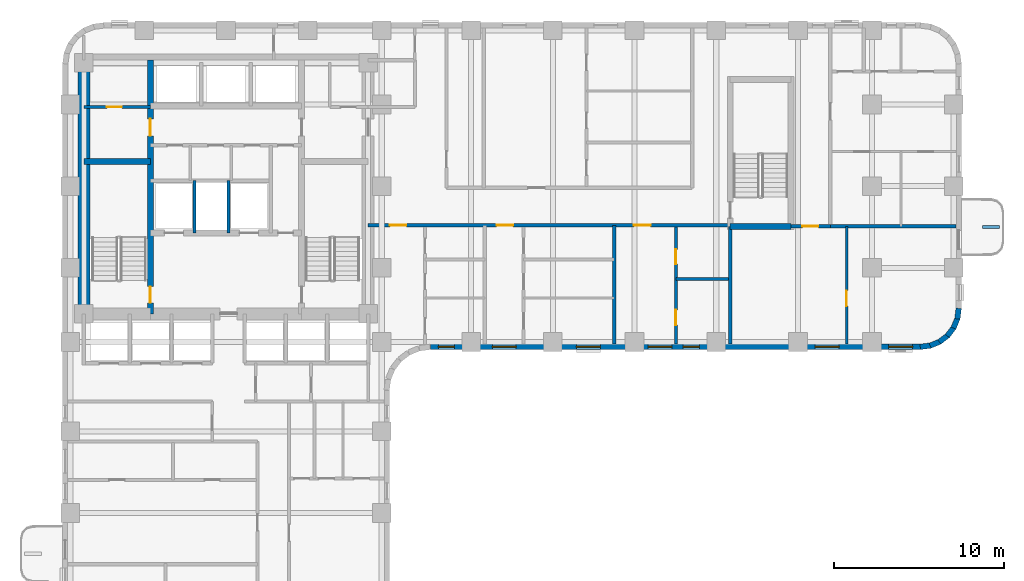
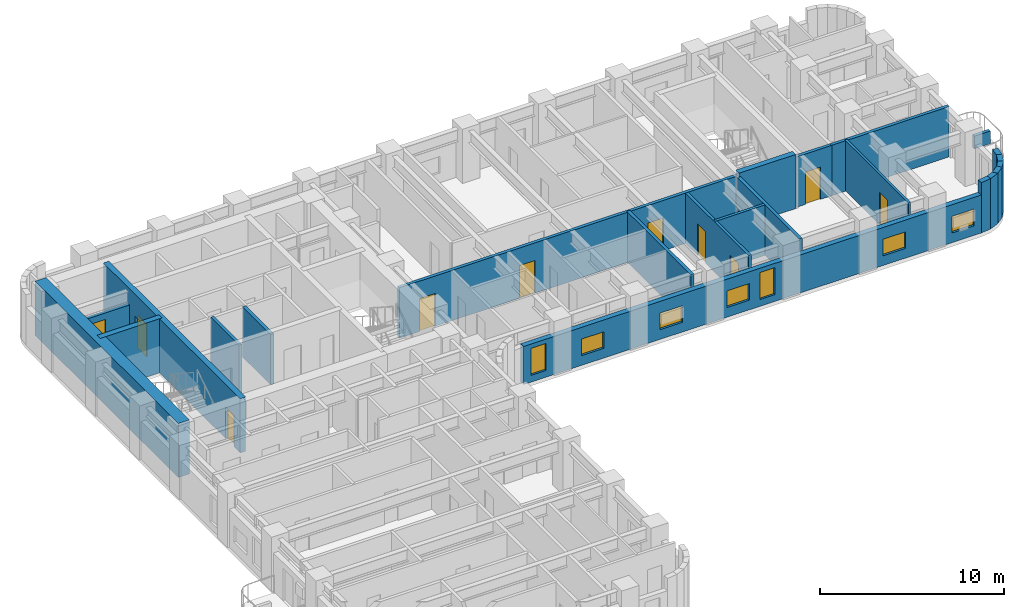
# One storey, part 5 of 11: 23 walls, 10 doors, 7 windows, 17 openings.
"""IFC4 building model written with IfcOpenShell, lengths in metres."""

from ifc_helpers import new_model, si_unit, direction, frame, frame_2d, origin, place, context, subcontext, project, spatial, rectangle, extrude, material, layer, layer_set, type_object, element, fill, save


model = new_model("IFC4")

# Units and contexts
model_context = context("Model", 3, precision=1e-05, world=origin(), true_north=direction((0.0, 1.0)))
body_context = subcontext(model_context, "Body", "Model", "MODEL_VIEW")
ifc_project = project(units=[si_unit("LENGTHUNIT", "METRE"), si_unit("AREAUNIT", "SQUARE_METRE"), si_unit("VOLUMEUNIT", "CUBIC_METRE"), si_unit("PLANEANGLEUNIT", "RADIAN"), si_unit("MASSUNIT", "GRAM", prefix="KILO")], contexts=[model_context])

# Site, building, storey
site_placement = place(None, origin())
site = spatial("IfcSite", under=ifc_project, at=site_placement, CompositionType="ELEMENT")
building_placement = place(site_placement, origin())
building = spatial("IfcBuilding", under=site, at=building_placement, Name="Orvandelia Arch Residences", CompositionType="ELEMENT")
storey_placement = place(building_placement, frame((0.0, 0.0, 53.800048828125)))
storey = spatial("IfcBuildingStorey", under=building, at=storey_placement, Name="L13", CompositionType="ELEMENT", Elevation=53.800048828125)

# Wall, openings, doors
ifc_material_1 = material(Name="Concrete C50/60", Category="concrete")
ifc_layer_1 = layer(ifc_material_1, 0.35009765625, Name="Concrete C50/60", Category="concrete")
ifc_layer_set_1 = layer_set([ifc_layer_1], Name="Concrete C50/60")
wall_type_1 = type_object("IfcWallType", Name="WL-CORE-350", PredefinedType="SHEAR", material=ifc_layer_set_1)
wall_1_placement = place(storey_placement, frame((9.9599609375, 30.89990234375, 0.0), z_axis=(0.0, 0.0, 1.0), x_axis=(0.0, 1.0, 0.0)))
wall_1 = element("IfcWall", 1, at=wall_1_placement, inside=storey, type_object=wall_type_1, Name="Core Shear Wall L13-WEB1", PredefinedType="SHEAR", context=body_context, shape_type="SweptSolid", body=[
    extrude(rectangle(XDim=14.900146484375, YDim=0.35009765625, at=frame_2d((7.4501953125, 0.0))), origin(), (0.0, 0.0, 1.0), 3.599853515625),
])
opening_1_placement = place(wall_1_placement, frame((0.64990234375, 0.0, 0.0)))
opening_1 = element("IfcOpeningElement", 2, at=opening_1_placement, cuts=wall_1, Name="Opening D7", PredefinedType="OPENING", context=body_context, shape_type="SweptSolid", body=[
    extrude(rectangle(XDim=0.949951171875, YDim=2.10009765625, at=frame_2d((0.47509765625, 1.050048828125))), frame((0.0, 0.18505859375, 0.0), z_axis=(0.0, -1.0, 0.0), x_axis=(1.0, 0.0, 0.0)), (0.0, 0.0, 1.0), 0.3701171875),
])
opening_2_placement = place(wall_1_placement, frame((10.449951171875, 0.0, 0.0)))
opening_2 = element("IfcOpeningElement", 3, at=opening_2_placement, cuts=wall_1, Name="Opening D6", PredefinedType="OPENING", context=body_context, shape_type="SweptSolid", body=[
    extrude(rectangle(XDim=1.0, YDim=2.14990234375, at=frame_2d((0.5, 1.074951171875))), frame((0.0, 0.18505859375, 0.0), z_axis=(0.0, -1.0, 0.0), x_axis=(1.0, 0.0, 0.0)), (0.0, 0.0, 1.0), 0.3701171875),
])
ifc_material_2 = material(Name="Smokeproof Painted Steel Fire Door", Category="steel")
door_type_1 = type_object("IfcDoorType", Name="DR-FD60-1000", OperationType="NOTDEFINED", PredefinedType="DOOR", material=ifc_material_2)
door_1_placement = place(opening_2_placement, origin())
door_1 = element("IfcDoor", 4, at=door_1_placement, inside=storey, type_object=door_type_1, Name="High-Rise Lift Hall West Vestibule Door L13", OperationType="SINGLE_SWING_LEFT", OverallHeight=2.14990234375, OverallWidth=1.0, PredefinedType="DOOR", context=body_context, shape_type="SweptSolid", body=[
    extrude(rectangle(XDim=1.0, YDim=2.14990234375, at=frame_2d((0.5, 1.074951171875))), frame((0.0, 0.02490234375, 0.0), z_axis=(0.0, -1.0, 0.0), x_axis=(1.0, 0.0, 0.0)), (0.0, 0.0, 1.0), 0.050048828125),
])
fill(opening_2, door_1)
ifc_material_3 = material(Name="Pressurised Stairwell Fire Door")
door_type_2 = type_object("IfcDoorType", Name="DR-STAIR-950", OperationType="NOTDEFINED", PredefinedType="DOOR", material=ifc_material_3)
door_2_placement = place(opening_1_placement, origin())
door_2 = element("IfcDoor", 5, at=door_2_placement, inside=storey, type_object=door_type_2, Name="Stairwell ST-1 Fire Door L13", OperationType="SINGLE_SWING_LEFT", OverallHeight=2.10009765625, OverallWidth=0.949951171875, PredefinedType="DOOR", context=body_context, shape_type="SweptSolid", body=[
    extrude(rectangle(XDim=0.949951171875, YDim=2.10009765625, at=frame_2d((0.47509765625, 1.050048828125))), frame((0.0, 0.02490234375, 0.0), z_axis=(0.0, -1.0, 0.0), x_axis=(1.0, 0.0, 0.0)), (0.0, 0.0, 1.0), 0.050048828125),
])
fill(opening_1, door_2)

# Walls
wall_2_placement = place(storey_placement, frame((6.050048828125, 39.85009765625, 0.0), z_axis=(0.0, 0.0, 1.0), x_axis=(1.0, 0.0, 0.0)))
element("IfcWall", 6, at=wall_2_placement, inside=storey, type_object=wall_type_1, Name="Core Shear Wall L13-HZ1", PredefinedType="SHEAR", context=body_context, shape_type="SweptSolid", body=[
    extrude(rectangle(XDim=3.909912109375, YDim=0.35009765625, at=frame_2d((1.955078125, 0.0))), origin(), (0.0, 0.0, 1.0), 3.599853515625),
])
wall_3_placement = place(storey_placement, frame((44.02001953125, 36.0400390625, 0.0), z_axis=(0.0, 0.0, 1.0), x_axis=(1.0, 0.0, 0.0)))
element("IfcWall", 7, at=wall_3_placement, inside=storey, type_object=wall_type_1, Name="East Stair Core Shear Wall L13-S", PredefinedType="SHEAR", context=body_context, shape_type="SweptSolid", body=[
    extrude(rectangle(XDim=3.580078125, YDim=0.35009765625, at=frame_2d((1.7900390625, 0.0))), origin(), (0.0, 0.0, 1.0), 3.599853515625),
])
ifc_material_4 = material(Name="Concrete C80/95", Category="concrete")
ifc_layer_2 = layer(ifc_material_4, 0.699951171875, Name="Concrete C80/95", Category="concrete")
ifc_layer_set_2 = layer_set([ifc_layer_2], Name="Concrete C80/95")
wall_type_2 = type_object("IfcWallType", Name="WL-CORE-700", PredefinedType="SHEAR", material=ifc_layer_set_2)
wall_4_placement = place(storey_placement, frame((6.050048828125, 30.550048828125, 0.0), z_axis=(0.0, 0.0, 1.0), x_axis=(0.0, 1.0, 0.0)))
element("IfcWall", 8, at=wall_4_placement, inside=storey, type_object=wall_type_2, Name="Core Shear Wall L13-W", PredefinedType="SHEAR", context=body_context, shape_type="SweptSolid", body=[
    extrude(rectangle(XDim=15.599853515625, YDim=0.699951171875, at=frame_2d((7.7998046875, 0.0))), origin(), (0.0, 0.0, 1.0), 3.599853515625),
])

# Wall, openings, doors
ifc_material_5 = material(Name="Fire-Rated Corridor Partition")
ifc_layer_3 = layer(ifc_material_5, 0.199951171875, Name="Fire-Rated Corridor Partition")
ifc_layer_set_3 = layer_set([ifc_layer_3], Name="Fire-Rated Corridor Partition")
wall_type_3 = type_object("IfcWallType", Name="WL-CORR-200", PredefinedType="PARTITIONING", material=ifc_layer_set_3)
wall_5_placement = place(storey_placement, frame((22.75, 36.10009765625, 0.0), z_axis=(0.0, 0.0, 1.0), x_axis=(1.0, 0.0, 0.0)))
wall_5 = element("IfcWall", 9, at=wall_5_placement, inside=storey, type_object=wall_type_3, Name="Interior Partition Wall WL-L13-EM-S1", PredefinedType="PARTITIONING", context=body_context, shape_type="SweptSolid", body=[
    extrude(rectangle(XDim=21.27001953125, YDim=0.199951171875, at=frame_2d((10.635009765625, 0.0))), origin(), (0.0, 0.0, 1.0), 3.349853515625),
])
opening_3_placement = place(wall_5_placement, frame((1.271484375, 0.0, 0.0)))
opening_3 = element("IfcOpeningElement", 10, at=opening_3_placement, cuts=wall_5, Name="Opening D1", PredefinedType="OPENING", context=body_context, shape_type="SweptSolid", body=[
    extrude(rectangle(XDim=0.97998046875, YDim=2.179931640625, at=frame_2d((0.489990234375, 1.08984375))), frame((0.0, 0.10986328125, 0.0), z_axis=(0.0, -1.0, 0.0), x_axis=(1.0, 0.0, 0.0)), (0.0, 0.0, 1.0), 0.219970703125),
])
opening_4_placement = place(wall_5_placement, frame((7.5400390625, 0.0, 0.0)))
opening_4 = element("IfcOpeningElement", 11, at=opening_4_placement, cuts=wall_5, Name="Opening D1", PredefinedType="OPENING", context=body_context, shape_type="SweptSolid", body=[
    extrude(rectangle(XDim=0.97998046875, YDim=2.179931640625, at=frame_2d((0.489990234375, 1.08984375))), frame((0.0, 0.10986328125, 0.0), z_axis=(0.0, -1.0, 0.0), x_axis=(1.0, 0.0, 0.0)), (0.0, 0.0, 1.0), 0.219970703125),
])
opening_5_placement = place(wall_5_placement, frame((15.614501953125, 0.0, 0.0)))
opening_5 = element("IfcOpeningElement", 12, at=opening_5_placement, cuts=wall_5, Name="Opening D1", PredefinedType="OPENING", context=body_context, shape_type="SweptSolid", body=[
    extrude(rectangle(XDim=0.97998046875, YDim=2.179931640625, at=frame_2d((0.489990234375, 1.08984375))), frame((0.0, 0.10986328125, 0.0), z_axis=(0.0, -1.0, 0.0), x_axis=(1.0, 0.0, 0.0)), (0.0, 0.0, 1.0), 0.219970703125),
])
ifc_material_6 = material(Name="Solid-Core Timber Acoustic Fire Door", Category="wood")
door_type_3 = type_object("IfcDoorType", Name="DR-ENT-980", OperationType="NOTDEFINED", PredefinedType="DOOR", material=ifc_material_6)
door_3_placement = place(opening_3_placement, origin())
door_3 = element("IfcDoor", 13, at=door_3_placement, inside=storey, type_object=door_type_3, Name="Unit L13-06 Entrance Door", OperationType="SINGLE_SWING_RIGHT", OverallHeight=2.179931640625, OverallWidth=0.97998046875, PredefinedType="DOOR", context=body_context, shape_type="SweptSolid", body=[
    extrude(rectangle(XDim=0.97998046875, YDim=2.179931640625, at=frame_2d((0.489990234375, 1.08984375))), frame((0.0, 0.02490234375, 0.0), z_axis=(0.0, -1.0, 0.0), x_axis=(1.0, 0.0, 0.0)), (0.0, 0.0, 1.0), 0.050048828125),
])
fill(opening_3, door_3)
door_4_placement = place(opening_4_placement, origin())
door_4 = element("IfcDoor", 14, at=door_4_placement, inside=storey, type_object=door_type_3, Name="Unit L13-07 Entrance Door", OperationType="SINGLE_SWING_LEFT", OverallHeight=2.179931640625, OverallWidth=0.97998046875, PredefinedType="DOOR", context=body_context, shape_type="SweptSolid", body=[
    extrude(rectangle(XDim=0.97998046875, YDim=2.179931640625, at=frame_2d((0.489990234375, 1.08984375))), frame((0.0, 0.02490234375, 0.0), z_axis=(0.0, -1.0, 0.0), x_axis=(1.0, 0.0, 0.0)), (0.0, 0.0, 1.0), 0.050048828125),
])
fill(opening_4, door_4)
door_5_placement = place(opening_5_placement, origin())
door_5 = element("IfcDoor", 15, at=door_5_placement, inside=storey, type_object=door_type_3, Name="Unit L13-08 Entrance Door", OperationType="SINGLE_SWING_RIGHT", OverallHeight=2.179931640625, OverallWidth=0.97998046875, PredefinedType="DOOR", context=body_context, shape_type="SweptSolid", body=[
    extrude(rectangle(XDim=0.97998046875, YDim=2.179931640625, at=frame_2d((0.489990234375, 1.08984375))), frame((0.0, 0.02490234375, 0.0), z_axis=(0.0, -1.0, 0.0), x_axis=(1.0, 0.0, 0.0)), (0.0, 0.0, 1.0), 0.050048828125),
])
fill(opening_5, door_5)

# Wall, opening, door
wall_6_placement = place(storey_placement, frame((47.60009765625, 36.0400390625, 0.0), z_axis=(0.0, 0.0, 1.0), x_axis=(1.0, 0.0, 0.0)))
wall_6 = element("IfcWall", 16, at=wall_6_placement, inside=storey, type_object=wall_type_3, Name="Interior Partition Wall WL-L13-ETE-S", PredefinedType="PARTITIONING", context=body_context, shape_type="SweptSolid", body=[
    extrude(rectangle(XDim=2.2998046875, YDim=0.199951171875, at=frame_2d((1.14990234375, 0.0))), origin(), (0.0, 0.0, 1.0), 3.349853515625),
])
opening_6_placement = place(wall_6_placement, frame((0.64990234375, 0.0, 0.0)))
opening_6 = element("IfcOpeningElement", 17, at=opening_6_placement, cuts=wall_6, Name="Opening D2", PredefinedType="OPENING", context=body_context, shape_type="SweptSolid", body=[
    extrude(rectangle(XDim=0.949951171875, YDim=2.14990234375, at=frame_2d((0.47509765625, 1.074951171875))), frame((0.0, 0.10986328125, 0.0), z_axis=(0.0, -1.0, 0.0), x_axis=(1.0, 0.0, 0.0)), (0.0, 0.0, 1.0), 0.219970703125),
])
ifc_material_7 = material(Name="Solid-Core Timber Interior Fire Door", Category="wood")
door_type_4 = type_object("IfcDoorType", Name="DR-APT-950", OperationType="NOTDEFINED", PredefinedType="DOOR", material=ifc_material_7)
door_6_placement = place(opening_6_placement, origin())
door_6 = element("IfcDoor", 18, at=door_6_placement, inside=storey, type_object=door_type_4, Name="DR-L13-EMS3", OperationType="SINGLE_SWING_LEFT", OverallHeight=2.14990234375, OverallWidth=0.949951171875, PredefinedType="DOOR", context=body_context, shape_type="SweptSolid", body=[
    extrude(rectangle(XDim=0.949951171875, YDim=2.14990234375, at=frame_2d((0.47509765625, 1.074951171875))), frame((0.0, 0.02490234375, 0.0), z_axis=(0.0, -1.0, 0.0), x_axis=(1.0, 0.0, 0.0)), (0.0, 0.0, 1.0), 0.050048828125),
])
fill(opening_6, door_6)

# Walls
ifc_material_8 = material(Name="Concrete C40/50", Category="concrete")
ifc_layer_4 = layer(ifc_material_8, 0.199951171875, Name="Concrete C40/50", Category="concrete")
ifc_layer_set_4 = layer_set([ifc_layer_4], Name="Concrete C40/50")
wall_type_4 = type_object("IfcWallType", Name="WL-DEM-200", PredefinedType="SOLIDWALL", material=ifc_layer_set_4)
wall_7_placement = place(storey_placement, frame((37.199951171875, 29.1201171875, 0.0), z_axis=(0.0, 0.0, 1.0), x_axis=(0.0, 1.0, 0.0)))
element("IfcWall", 19, at=wall_7_placement, inside=storey, type_object=wall_type_4, Name="Interior Partition Wall WL-L13-DEM-EMS-372", PredefinedType="SOLIDWALL", context=body_context, shape_type="SweptSolid", body=[
    extrude(rectangle(XDim=6.97998046875, YDim=0.199951171875, at=frame_2d((3.489990234375, 0.0))), origin(), (0.0, 0.0, 1.0), 3.349853515625),
])
wall_8_placement = place(storey_placement, frame((44.02001953125, 29.1201171875, 0.0), z_axis=(0.0, 0.0, 1.0), x_axis=(0.0, 1.0, 0.0)))
element("IfcWall", 20, at=wall_8_placement, inside=storey, type_object=wall_type_4, Name="Interior Partition Wall WL-L13-EMS3-W", PredefinedType="SOLIDWALL", context=body_context, shape_type="SweptSolid", body=[
    extrude(rectangle(XDim=6.919921875, YDim=0.199951171875, at=frame_2d((3.4599609375, 0.0))), origin(), (0.0, 0.0, 1.0), 3.349853515625),
])
wall_9_placement = place(storey_placement, frame((49.89990234375, 36.0400390625, 0.0), z_axis=(0.0, 0.0, 1.0), x_axis=(1.0, 0.0, 0.0)))
element("IfcWall", 21, at=wall_9_placement, inside=storey, type_object=wall_type_4, Name="Interior Partition Wall WL-L13-EMS3-N2", PredefinedType="SOLIDWALL", context=body_context, shape_type="SweptSolid", body=[
    extrude(rectangle(XDim=7.380126953125, YDim=0.199951171875, at=frame_2d((3.68994140625, 0.0))), origin(), (0.0, 0.0, 1.0), 3.349853515625),
])
ifc_material_9 = material(Name="Precast concrete C40/50", Category="concrete")
ifc_layer_5 = layer(ifc_material_9, 0.320068359375, Name="Precast concrete C40/50", Category="concrete")
ifc_layer_set_5 = layer_set([ifc_layer_5], Name="Precast concrete C40/50")
wall_type_5 = type_object("IfcWallType", Name="WL-EXT-STONE-320", PredefinedType="STANDARD", material=ifc_layer_set_5)
wall_10_placement = place(storey_placement, frame((57.44140625, 31.220947265625, 0.0), z_axis=(0.0, 0.0, 1.0), x_axis=(-0.130504898859, -0.991447664465, 0.0)))
element("IfcWall", 22, at=wall_10_placement, inside=storey, type_object=wall_type_5, Name="Coral-Limestone Precast Facade Wall L13-015", PredefinedType="STANDARD", context=body_context, shape_type="SweptSolid", body=[
    extrude(rectangle(XDim=0.626708984375, YDim=0.320068359375, at=frame_2d((0.3134765625, 0.0))), origin(), (0.0, 0.0, 1.0), 3.349853515625),
])
wall_11_placement = place(storey_placement, frame((57.370361328125, 30.639892578125, 0.0), z_axis=(0.0, 0.0, 1.0), x_axis=(-0.382787856107, -0.923836271867, 0.0)))
element("IfcWall", 23, at=wall_11_placement, inside=storey, type_object=wall_type_5, Name="Coral-Limestone Precast Facade Wall L13-016", PredefinedType="STANDARD", context=body_context, shape_type="SweptSolid", body=[
    extrude(rectangle(XDim=0.626220703125, YDim=0.320068359375, at=frame_2d((0.31298828125, 0.0))), origin(), (0.0, 0.0, 1.0), 3.349853515625),
])
wall_12_placement = place(storey_placement, frame((57.151611328125, 30.097412109375, 0.0), z_axis=(0.0, 0.0, 1.0), x_axis=(-0.608693302629, -0.793405610854, 0.0)))
element("IfcWall", 24, at=wall_12_placement, inside=storey, type_object=wall_type_5, Name="Coral-Limestone Precast Facade Wall L13-017", PredefinedType="STANDARD", context=body_context, shape_type="SweptSolid", body=[
    extrude(rectangle(XDim=0.62646484375, YDim=0.320068359375, at=frame_2d((0.313232421875, 0.0))), origin(), (0.0, 0.0, 1.0), 3.349853515625),
])
wall_13_placement = place(storey_placement, frame((56.7998046875, 29.6298828125, 0.0), z_axis=(0.0, 0.0, 1.0), x_axis=(-0.793361818833, -0.608750379399, 0.0)))
element("IfcWall", 25, at=wall_13_placement, inside=storey, type_object=wall_type_5, Name="Coral-Limestone Precast Facade Wall L13-018", PredefinedType="STANDARD", context=body_context, shape_type="SweptSolid", body=[
    extrude(rectangle(XDim=0.626953125, YDim=0.320068359375, at=frame_2d((0.3134765625, 0.0))), origin(), (0.0, 0.0, 1.0), 3.349853515625),
])
for number, where, z_axis, x_axis, name in (
    (26, (56.3388671875, 29.269287109375, 0.0), (0.0, 0.0, 1.0), (-0.92389335771, -0.382650053678, 0.0), "Coral-Limestone Precast Facade Wall L13-019"),
    (27, (55.80029296875, 29.040283203125, 0.0), (0.0, 0.0, 1.0), (-0.9914410257, -0.130555323746, 0.0), "Coral-Limestone Precast Facade Wall L13-020"),
):
    element("IfcWall", number, at=place(storey_placement, frame(where, z_axis=z_axis, x_axis=x_axis)), inside=storey, type_object=wall_type_5, Name=name, PredefinedType="STANDARD", context=body_context, shape_type="SweptSolid", body=[
        extrude(rectangle(XDim=0.62646484375, YDim=0.320068359375, at=frame_2d((0.313232421875, 0.0))), origin(), (0.0, 0.0, 1.0), 3.349853515625),
    ])

# Wall, openings, windows
wall_14_placement = place(storey_placement, frame((55.199951171875, 28.9599609375, 0.0), z_axis=(0.0, 0.0, 1.0), x_axis=(-1.0, 0.0, 0.0)))
wall_14 = element("IfcWall", 28, at=wall_14_placement, inside=storey, type_object=wall_type_5, Name="Coral-Limestone Precast Facade Wall L13-021", PredefinedType="STANDARD", context=body_context, shape_type="SweptSolid", body=[
    extrude(rectangle(XDim=28.800048828125, YDim=0.320068359375, at=frame_2d((14.39990234375, 0.0))), origin(), (0.0, 0.0, 1.0), 2.530029296875),
])
opening_7_placement = place(wall_14_placement, frame((27.3798828125, 0.0, 0.449951171875)))
opening_7 = element("IfcOpeningElement", 29, at=opening_7_placement, cuts=wall_14, Name="Opening W4", PredefinedType="OPENING", context=body_context, shape_type="SweptSolid", body=[
    extrude(rectangle(XDim=0.949951171875, YDim=1.800048828125, at=frame_2d((0.47509765625, 0.89990234375))), frame((0.0, 0.169921875, 0.0), z_axis=(0.0, -1.0, 0.0), x_axis=(1.0, 0.0, 0.0)), (0.0, 0.0, 1.0), 0.340087890625),
])
opening_8_placement = place(wall_14_placement, frame((18.81494140625, 0.0, 0.64990234375)))
opening_8 = element("IfcOpeningElement", 30, at=opening_8_placement, cuts=wall_14, Name="Opening W10", PredefinedType="OPENING", context=body_context, shape_type="SweptSolid", body=[
    extrude(rectangle(XDim=1.39990234375, YDim=1.10009765625, at=frame_2d((0.699951171875, 0.550048828125))), frame((0.0, 0.169921875, 0.0), z_axis=(0.0, -1.0, 0.0), x_axis=(1.0, 0.0, 0.0)), (0.0, 0.0, 1.0), 0.340087890625),
])
opening_9_placement = place(wall_14_placement, frame((14.60400390625, 0.0, 0.64990234375)))
opening_9 = element("IfcOpeningElement", 31, at=opening_9_placement, cuts=wall_14, Name="Opening W10", PredefinedType="OPENING", context=body_context, shape_type="SweptSolid", body=[
    extrude(rectangle(XDim=1.39990234375, YDim=1.10009765625, at=frame_2d((0.699951171875, 0.550048828125))), frame((0.0, 0.169921875, 0.0), z_axis=(0.0, -1.0, 0.0), x_axis=(1.0, 0.0, 0.0)), (0.0, 0.0, 1.0), 0.340087890625),
])
opening_10_placement = place(wall_14_placement, frame((4.7900390625, 0.0, 0.64990234375)))
opening_10 = element("IfcOpeningElement", 32, at=opening_10_placement, cuts=wall_14, Name="Opening W10", PredefinedType="OPENING", context=body_context, shape_type="SweptSolid", body=[
    extrude(rectangle(XDim=1.39990234375, YDim=1.10009765625, at=frame_2d((0.699951171875, 0.550048828125))), frame((0.0, 0.169921875, 0.0), z_axis=(0.0, -1.0, 0.0), x_axis=(1.0, 0.0, 0.0)), (0.0, 0.0, 1.0), 0.340087890625),
])
opening_11_placement = place(wall_14_placement, frame((0.469970703125, 0.0, 0.64990234375)))
opening_11 = element("IfcOpeningElement", 33, at=opening_11_placement, cuts=wall_14, Name="Opening W10", PredefinedType="OPENING", context=body_context, shape_type="SweptSolid", body=[
    extrude(rectangle(XDim=1.39990234375, YDim=1.10009765625, at=frame_2d((0.699951171875, 0.550048828125))), frame((0.0, 0.169921875, 0.0), z_axis=(0.0, -1.0, 0.0), x_axis=(1.0, 0.0, 0.0)), (0.0, 0.0, 1.0), 0.340087890625),
])
opening_12_placement = place(wall_14_placement, frame((23.760009765625, 0.0, 0.64990234375)))
opening_12 = element("IfcOpeningElement", 34, at=opening_12_placement, cuts=wall_14, Name="Opening W10", PredefinedType="OPENING", context=body_context, shape_type="SweptSolid", body=[
    extrude(rectangle(XDim=1.39990234375, YDim=1.10009765625, at=frame_2d((0.699951171875, 0.550048828125))), frame((0.0, 0.169921875, 0.0), z_axis=(0.0, -1.0, 0.0), x_axis=(1.0, 0.0, 0.0)), (0.0, 0.0, 1.0), 0.340087890625),
])
opening_13_placement = place(wall_14_placement, frame((12.9990234375, 0.0, 0.449951171875)))
opening_13 = element("IfcOpeningElement", 35, at=opening_13_placement, cuts=wall_14, Name="Opening W4", PredefinedType="OPENING", context=body_context, shape_type="SweptSolid", body=[
    extrude(rectangle(XDim=0.949951171875, YDim=1.800048828125, at=frame_2d((0.47509765625, 0.89990234375))), frame((0.0, 0.169921875, 0.0), z_axis=(0.0, -1.0, 0.0), x_axis=(1.0, 0.0, 0.0)), (0.0, 0.0, 1.0), 0.340087890625),
])
ifc_material_10 = material(Name="Tempered Low-E Insulated Glazing", Category="glass")
window_type_1 = type_object("IfcWindowType", Name="WIN-CLR-1400x1100", PartitioningType="SINGLE_PANEL", PredefinedType="WINDOW", material=ifc_material_10)
window_1_placement = place(opening_8_placement, origin())
window_1 = element("IfcWindow", 36, at=window_1_placement, inside=storey, type_object=window_type_1, Name="Recessed Punched Window L13-015", OverallHeight=1.10009765625, OverallWidth=1.39990234375, PartitioningType="SINGLE_PANEL", PredefinedType="WINDOW", context=body_context, shape_type="SweptSolid", body=[
    extrude(rectangle(XDim=1.39990234375, YDim=1.10009765625, at=frame_2d((0.699951171875, 0.550048828125))), frame((0.0, 0.030029296875, 0.0), z_axis=(0.0, -1.0, 0.0), x_axis=(1.0, 0.0, 0.0)), (0.0, 0.0, 1.0), 0.06005859375),
])
fill(opening_8, window_1)
window_2_placement = place(opening_9_placement, origin())
window_2 = element("IfcWindow", 37, at=window_2_placement, inside=storey, type_object=window_type_1, Name="Recessed Punched Window L13-016", OverallHeight=1.10009765625, OverallWidth=1.39990234375, PartitioningType="SINGLE_PANEL", PredefinedType="WINDOW", context=body_context, shape_type="SweptSolid", body=[
    extrude(rectangle(XDim=1.39990234375, YDim=1.10009765625, at=frame_2d((0.699951171875, 0.550048828125))), frame((0.0, 0.030029296875, 0.0), z_axis=(0.0, -1.0, 0.0), x_axis=(1.0, 0.0, 0.0)), (0.0, 0.0, 1.0), 0.06005859375),
])
fill(opening_9, window_2)
window_3_placement = place(opening_10_placement, origin())
window_3 = element("IfcWindow", 38, at=window_3_placement, inside=storey, type_object=window_type_1, Name="Recessed Punched Window L13-017", OverallHeight=1.10009765625, OverallWidth=1.39990234375, PartitioningType="SINGLE_PANEL", PredefinedType="WINDOW", context=body_context, shape_type="SweptSolid", body=[
    extrude(rectangle(XDim=1.39990234375, YDim=1.10009765625, at=frame_2d((0.699951171875, 0.550048828125))), frame((0.0, 0.030029296875, 0.0), z_axis=(0.0, -1.0, 0.0), x_axis=(1.0, 0.0, 0.0)), (0.0, 0.0, 1.0), 0.06005859375),
])
fill(opening_10, window_3)
window_4_placement = place(opening_11_placement, origin())
window_4 = element("IfcWindow", 39, at=window_4_placement, inside=storey, type_object=window_type_1, Name="Recessed Punched Window L13-018", OverallHeight=1.10009765625, OverallWidth=1.39990234375, PartitioningType="SINGLE_PANEL", PredefinedType="WINDOW", context=body_context, shape_type="SweptSolid", body=[
    extrude(rectangle(XDim=1.39990234375, YDim=1.10009765625, at=frame_2d((0.699951171875, 0.550048828125))), frame((0.0, 0.030029296875, 0.0), z_axis=(0.0, -1.0, 0.0), x_axis=(1.0, 0.0, 0.0)), (0.0, 0.0, 1.0), 0.06005859375),
])
fill(opening_11, window_4)
window_5_placement = place(opening_12_placement, origin())
window_5 = element("IfcWindow", 40, at=window_5_placement, inside=storey, type_object=window_type_1, Name="Recessed Punched Window L13-019", OverallHeight=1.10009765625, OverallWidth=1.39990234375, PartitioningType="SINGLE_PANEL", PredefinedType="WINDOW", context=body_context, shape_type="SweptSolid", body=[
    extrude(rectangle(XDim=1.39990234375, YDim=1.10009765625, at=frame_2d((0.699951171875, 0.550048828125))), frame((0.0, 0.030029296875, 0.0), z_axis=(0.0, -1.0, 0.0), x_axis=(1.0, 0.0, 0.0)), (0.0, 0.0, 1.0), 0.06005859375),
])
fill(opening_12, window_5)
window_type_2 = type_object("IfcWindowType", Name="WIN-RES-0950x1800", PartitioningType="SINGLE_PANEL", PredefinedType="WINDOW", material=ifc_material_10)
window_6_placement = place(opening_7_placement, origin())
window_6 = element("IfcWindow", 41, at=window_6_placement, inside=storey, type_object=window_type_2, Name="Recessed Punched Window L13-014", OverallHeight=1.800048828125, OverallWidth=0.949951171875, PartitioningType="SINGLE_PANEL", PredefinedType="WINDOW", context=body_context, shape_type="SweptSolid", body=[
    extrude(rectangle(XDim=0.949951171875, YDim=1.800048828125, at=frame_2d((0.47509765625, 0.89990234375))), frame((0.0, 0.030029296875, 0.0), z_axis=(0.0, -1.0, 0.0), x_axis=(1.0, 0.0, 0.0)), (0.0, 0.0, 1.0), 0.06005859375),
])
fill(opening_7, window_6)
window_7_placement = place(opening_13_placement, origin())
window_7 = element("IfcWindow", 42, at=window_7_placement, inside=storey, type_object=window_type_2, Name="Recessed Punched Window L13-020", OverallHeight=1.800048828125, OverallWidth=0.949951171875, PartitioningType="SINGLE_PANEL", PredefinedType="WINDOW", context=body_context, shape_type="SweptSolid", body=[
    extrude(rectangle(XDim=0.949951171875, YDim=1.800048828125, at=frame_2d((0.47509765625, 0.89990234375))), frame((0.0, 0.030029296875, 0.0), z_axis=(0.0, -1.0, 0.0), x_axis=(1.0, 0.0, 0.0)), (0.0, 0.0, 1.0), 0.06005859375),
])
fill(opening_13, window_7)

# Wall, opening, door
ifc_material_11 = material(Name="Acoustic Gypsum Stud Partition")
ifc_layer_6 = layer(ifc_material_11, 0.14990234375, Name="Acoustic Gypsum Stud Partition")
ifc_layer_set_6 = layer_set([ifc_layer_6], Name="Acoustic Gypsum Stud Partition")
wall_type_6 = type_object("IfcWallType", Name="WL-PART-150", PredefinedType="PARTITIONING", material=ifc_layer_set_6)
wall_15_placement = place(storey_placement, frame((50.85009765625, 29.1201171875, 0.0), z_axis=(0.0, 0.0, 1.0), x_axis=(0.0, 1.0, 0.0)))
wall_15 = element("IfcWall", 43, at=wall_15_placement, inside=storey, type_object=wall_type_6, Name="Interior Partition Wall WL-L13-EMS3-M", PredefinedType="PARTITIONING", context=body_context, shape_type="SweptSolid", body=[
    extrude(rectangle(XDim=6.919921875, YDim=0.14990234375, at=frame_2d((3.4599609375, 0.0))), origin(), (0.0, 0.0, 1.0), 3.349853515625),
])
opening_14_placement = place(wall_15_placement, frame((2.239990234375, 0.0, 0.0)))
opening_14 = element("IfcOpeningElement", 44, at=opening_14_placement, cuts=wall_15, Name="Opening D3", PredefinedType="OPENING", context=body_context, shape_type="SweptSolid", body=[
    extrude(rectangle(XDim=0.89990234375, YDim=2.14990234375, at=frame_2d((0.449951171875, 1.074951171875))), frame((0.0, 0.0849609375, 0.0), z_axis=(0.0, -1.0, 0.0), x_axis=(1.0, 0.0, 0.0)), (0.0, 0.0, 1.0), 0.169921875),
])
ifc_material_12 = material(Name="Engineered Timber Flush Door", Category="wood")
door_type_5 = type_object("IfcDoorType", Name="DR-INT-900", OperationType="NOTDEFINED", PredefinedType="DOOR", material=ifc_material_12)
door_7_placement = place(opening_14_placement, origin())
door_7 = element("IfcDoor", 45, at=door_7_placement, inside=storey, type_object=door_type_5, Name="DR-L13-EMS3M", OperationType="SINGLE_SWING_RIGHT", OverallHeight=2.14990234375, OverallWidth=0.89990234375, PredefinedType="DOOR", context=body_context, shape_type="SweptSolid", body=[
    extrude(rectangle(XDim=0.89990234375, YDim=2.14990234375, at=frame_2d((0.449951171875, 1.074951171875))), frame((0.0, 0.02490234375, 0.0), z_axis=(0.0, -1.0, 0.0), x_axis=(1.0, 0.0, 0.0)), (0.0, 0.0, 1.0), 0.050048828125),
])
fill(opening_14, door_7)

# Walls
ifc_layer_7 = layer(ifc_material_9, 0.199951171875, Name="Precast concrete C40/50", Category="concrete")
ifc_layer_set_7 = layer_set([ifc_layer_7], Name="Precast concrete C40/50")
wall_type_7 = type_object("IfcWallType", Name="WL-PLANTER-200", PredefinedType="MOVABLE", material=ifc_layer_set_7)
wall_16_placement = place(storey_placement, frame((58.85009765625, 36.0, 0.0), z_axis=(0.0, 0.0, 1.0), x_axis=(1.0, 0.0, 0.0)))
element("IfcWall", 46, at=wall_16_placement, inside=storey, type_object=wall_type_7, Name="Balcony Precast Tree Planter BAL-L13-E1", PredefinedType="MOVABLE", context=body_context, shape_type="SweptSolid", body=[
    extrude(rectangle(XDim=1.0, YDim=0.199951171875, at=frame_2d((0.5, 0.0))), origin(), (0.0, 0.0, 1.0), 0.849853515625),
])
ifc_material_13 = material(Name="Fire-Rated Shaft Enclosure Wall")
ifc_layer_8 = layer(ifc_material_13, 0.199951171875, Name="Fire-Rated Shaft Enclosure Wall")
ifc_layer_set_8 = layer_set([ifc_layer_8], Name="Fire-Rated Shaft Enclosure Wall")
wall_type_8 = type_object("IfcWallType", Name="WL-SHAFT-200", PredefinedType="POLYGONAL", material=ifc_layer_set_8)
for number, where, z_axis, x_axis, name in (
    (47, (12.550048828125, 35.64990234375, 0.0), (0.0, 0.0, 1.0), (0.0, 1.0, 0.0), "Interior Partition Wall WL-L13-FLM1"),
    (48, (14.550048828125, 35.64990234375, 0.0), (0.0, 0.0, 1.0), (0.0, 1.0, 0.0), "Interior Partition Wall WL-L13-FLM2"),
):
    element("IfcWall", number, at=place(storey_placement, frame(where, z_axis=z_axis, x_axis=x_axis)), inside=storey, type_object=wall_type_8, Name=name, PredefinedType="POLYGONAL", context=body_context, shape_type="SweptSolid", body=[
        extrude(rectangle(XDim=3.070068359375, YDim=0.199951171875, at=frame_2d((1.53515625, 0.0))), origin(), (0.0, 0.0, 1.0), 3.349853515625),
    ])

# Wall, opening, door
wall_17_placement = place(storey_placement, frame((6.050048828125, 43.050048828125, 0.0), z_axis=(0.0, 0.0, 1.0), x_axis=(1.0, 0.0, 0.0)))
wall_17 = element("IfcWall", 49, at=wall_17_placement, inside=storey, type_object=wall_type_8, Name="Interior Partition Wall WL-L13-HLW-N", PredefinedType="POLYGONAL", context=body_context, shape_type="SweptSolid", body=[
    extrude(rectangle(XDim=3.909912109375, YDim=0.199951171875, at=frame_2d((1.955078125, 0.0))), origin(), (0.0, 0.0, 1.0), 2.530029296875),
])
opening_15_placement = place(wall_17_placement, frame((1.35009765625, 0.0, 0.0)))
opening_15 = element("IfcOpeningElement", 50, at=opening_15_placement, cuts=wall_17, Name="Opening D5", PredefinedType="OPENING", context=body_context, shape_type="SweptSolid", body=[
    extrude(rectangle(XDim=0.8798828125, YDim=2.10009765625, at=frame_2d((0.43994140625, 1.050048828125))), frame((0.0, 0.10986328125, 0.0), z_axis=(0.0, -1.0, 0.0), x_axis=(1.0, 0.0, 0.0)), (0.0, 0.0, 1.0), 0.219970703125),
])
ifc_material_14 = material(Name="Painted Galvanised Steel Service Door", Category="steel")
door_type_6 = type_object("IfcDoorType", Name="DR-SRV-880", OperationType="NOTDEFINED", PredefinedType="DOOR", material=ifc_material_14)
door_8_placement = place(opening_15_placement, origin())
door_8 = element("IfcDoor", 51, at=door_8_placement, inside=storey, type_object=door_type_6, Name="Riser Service Door L13", OperationType="SINGLE_SWING_RIGHT", OverallHeight=2.10009765625, OverallWidth=0.8798828125, PredefinedType="DOOR", context=body_context, shape_type="SweptSolid", body=[
    extrude(rectangle(XDim=0.8798828125, YDim=2.10009765625, at=frame_2d((0.43994140625, 1.050048828125))), frame((0.0, 0.02490234375, 0.0), z_axis=(0.0, -1.0, 0.0), x_axis=(1.0, 0.0, 0.0)), (0.0, 0.0, 1.0), 0.050048828125),
])
fill(opening_15, door_8)

# Wall, openings, doors
ifc_material_15 = material(Name="Moisture-Resistant Plumbing Wall")
ifc_layer_9 = layer(ifc_material_15, 0.179931640625, Name="Moisture-Resistant Plumbing Wall")
ifc_layer_set_9 = layer_set([ifc_layer_9], Name="Moisture-Resistant Plumbing Wall")
wall_type_9 = type_object("IfcWallType", Name="WL-WET-180", PredefinedType="PLUMBINGWALL", material=ifc_layer_set_9)
wall_18_placement = place(storey_placement, frame((40.822021484375, 29.1201171875, 0.0), z_axis=(0.0, 0.0, 1.0), x_axis=(0.0, 1.0, 0.0)))
wall_18 = element("IfcWall", 52, at=wall_18_placement, inside=storey, type_object=wall_type_9, Name="Interior Partition Wall WL-L13-U08-VT", PredefinedType="PLUMBINGWALL", context=body_context, shape_type="SweptSolid", body=[
    extrude(rectangle(XDim=6.8798828125, YDim=0.179931640625, at=frame_2d((3.43994140625, 0.0))), origin(), (0.0, 0.0, 1.0), 3.349853515625),
])
opening_16_placement = place(wall_18_placement, frame((1.1162109375, 0.0, 0.0)))
opening_16 = element("IfcOpeningElement", 53, at=opening_16_placement, cuts=wall_18, Name="Opening D3", PredefinedType="OPENING", context=body_context, shape_type="SweptSolid", body=[
    extrude(rectangle(XDim=0.89990234375, YDim=2.14990234375, at=frame_2d((0.449951171875, 1.074951171875))), frame((0.0, 0.10009765625, 0.0), z_axis=(0.0, -1.0, 0.0), x_axis=(1.0, 0.0, 0.0)), (0.0, 0.0, 1.0), 0.199951171875),
])
opening_17_placement = place(wall_18_placement, frame((4.705322265625, 0.0, 0.0)))
opening_17 = element("IfcOpeningElement", 54, at=opening_17_placement, cuts=wall_18, Name="Opening D4", PredefinedType="OPENING", context=body_context, shape_type="SweptSolid", body=[
    extrude(rectangle(XDim=0.860107421875, YDim=2.10009765625, at=frame_2d((0.43017578125, 1.050048828125))), frame((0.0, 0.10009765625, 0.0), z_axis=(0.0, -1.0, 0.0), x_axis=(1.0, 0.0, 0.0)), (0.0, 0.0, 1.0), 0.199951171875),
])
door_9_placement = place(opening_16_placement, origin())
door_9 = element("IfcDoor", 55, at=door_9_placement, inside=storey, type_object=door_type_5, Name="DR-L13-U08-KIT", OperationType="SINGLE_SWING_RIGHT", OverallHeight=2.14990234375, OverallWidth=0.89990234375, PredefinedType="DOOR", context=body_context, shape_type="SweptSolid", body=[
    extrude(rectangle(XDim=0.89990234375, YDim=2.14990234375, at=frame_2d((0.449951171875, 1.074951171875))), frame((0.0, 0.02490234375, 0.0), z_axis=(0.0, -1.0, 0.0), x_axis=(1.0, 0.0, 0.0)), (0.0, 0.0, 1.0), 0.050048828125),
])
fill(opening_16, door_9)
ifc_material_16 = material(Name="Moisture-Sealed Timber Bathroom Door", Category="wood")
door_type_7 = type_object("IfcDoorType", Name="DR-WET-900", OperationType="NOTDEFINED", PredefinedType="DOOR", material=ifc_material_16)
door_10_placement = place(opening_17_placement, origin())
door_10 = element("IfcDoor", 56, at=door_10_placement, inside=storey, type_object=door_type_7, Name="DR-L13-U08-BTH", OperationType="SINGLE_SWING_LEFT", OverallHeight=2.10009765625, OverallWidth=0.860107421875, PredefinedType="DOOR", context=body_context, shape_type="SweptSolid", body=[
    extrude(rectangle(XDim=0.860107421875, YDim=2.10009765625, at=frame_2d((0.43017578125, 1.050048828125))), frame((0.0, 0.02490234375, 0.0), z_axis=(0.0, -1.0, 0.0), x_axis=(1.0, 0.0, 0.0)), (0.0, 0.0, 1.0), 0.050048828125),
])
fill(opening_17, door_10)

# Wall
wall_19_placement = place(storey_placement, frame((40.822021484375, 32.946044921875, 0.0), z_axis=(0.0, 0.0, 1.0), x_axis=(1.0, 0.0, 0.0)))
element("IfcWall", 57, at=wall_19_placement, inside=storey, type_object=wall_type_9, Name="Interior Partition Wall WL-L13-U08-H1", PredefinedType="PLUMBINGWALL", context=body_context, shape_type="SweptSolid", body=[
    extrude(rectangle(XDim=3.097900390625, YDim=0.179931640625, at=frame_2d((1.548828125, 0.0))), origin(), (0.0, 0.0, 1.0), 3.349853515625),
])

save(model, "model.ifc")
